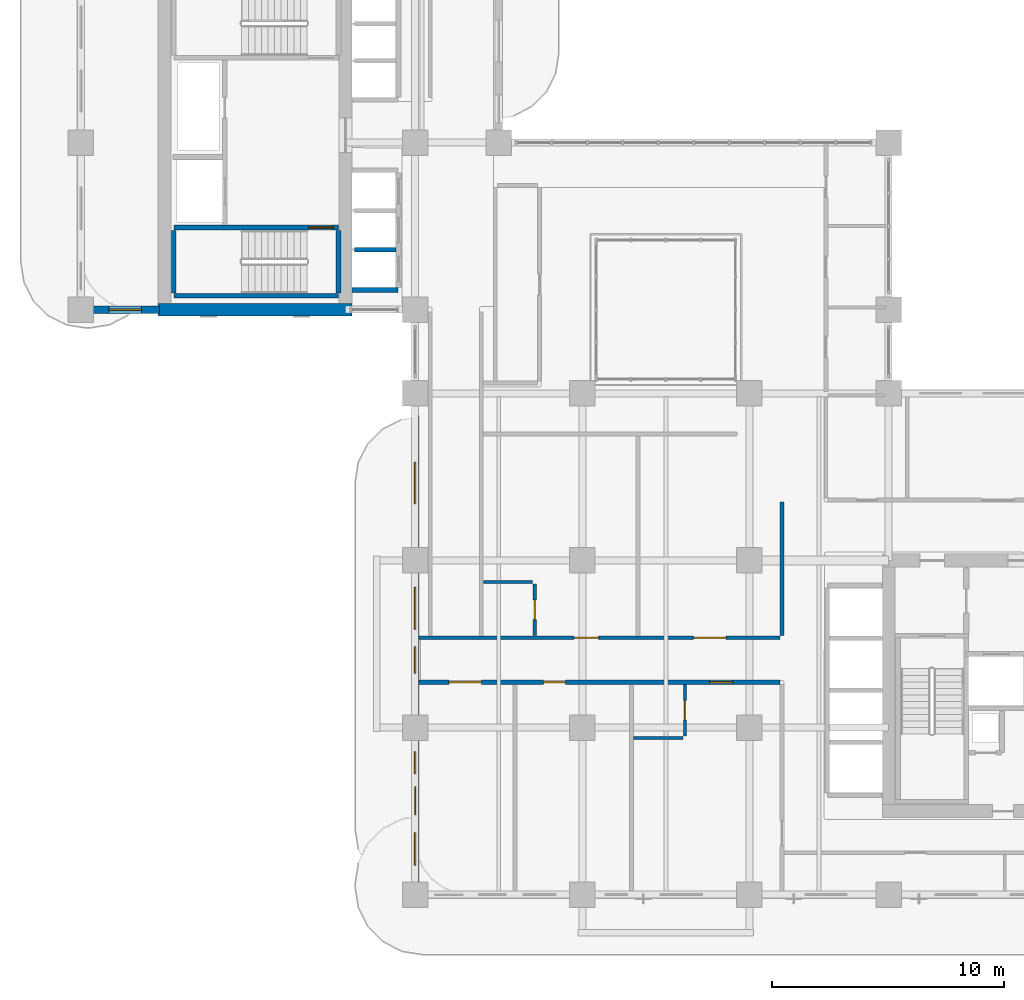
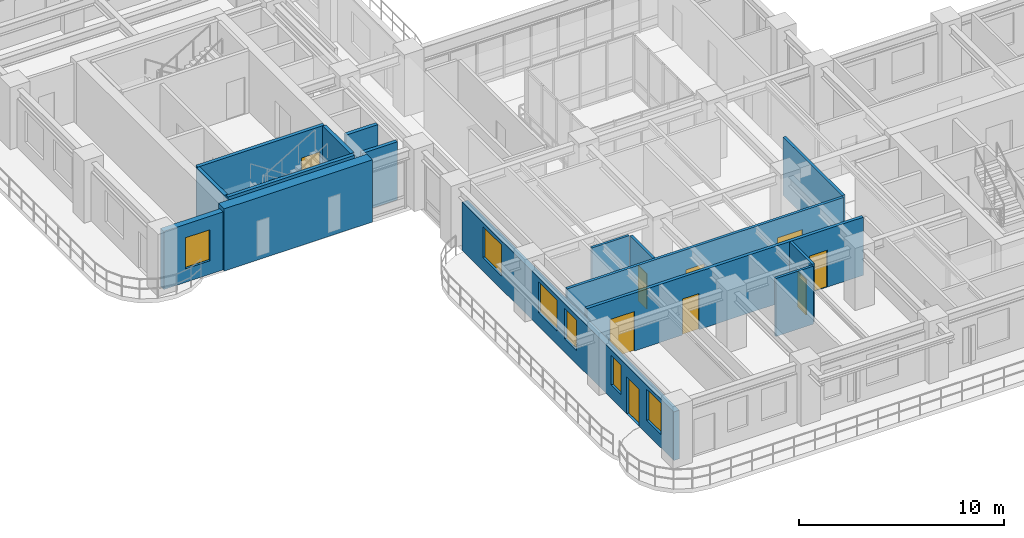
# One storey, part 12 of 22: 16 walls, 9 doors, 6 windows, 15 openings.
"""IFC4 building model written with IfcOpenShell, lengths in metres."""

from ifc_helpers import new_model, si_unit, derived_unit, direction, frame, frame_2d, origin, place, context, subcontext, project, spatial, rectangle, extrude, source, transform, mapped, material, layer, layer_set, type_object, type_shapes, element, fill, save


model = new_model("IFC4")

# Units and contexts
model_context = context("Model", 3, precision=1e-05, world=origin(), true_north=direction((0.0, 1.0)))
body_context = subcontext(model_context, "Body", "Model", "MODEL_VIEW")
ifc_project = project(units=[si_unit("LENGTHUNIT", "METRE"), si_unit("AREAUNIT", "SQUARE_METRE"), si_unit("VOLUMEUNIT", "CUBIC_METRE"), si_unit("PLANEANGLEUNIT", "RADIAN"), si_unit("MASSUNIT", "GRAM", prefix="KILO"), si_unit("THERMODYNAMICTEMPERATUREUNIT", "KELVIN"), si_unit("POWERUNIT", "WATT"), derived_unit("THERMALTRANSMITTANCEUNIT", [(si_unit("POWERUNIT", "WATT"), 1), (si_unit("AREAUNIT", "SQUARE_METRE"), -1), (si_unit("THERMODYNAMICTEMPERATUREUNIT", "KELVIN"), -1)])], contexts=[model_context])

# Site, building, storey
site_placement = place(None, origin())
site = spatial("IfcSite", under=ifc_project, at=site_placement, CompositionType="ELEMENT")
building_placement = place(site_placement, origin())
building = spatial("IfcBuilding", under=site, at=building_placement, Name="Zahravan Archway Hotel and Residences", CompositionType="ELEMENT")
storey_placement = place(building_placement, frame((0.0, 0.0, 99.0)))
storey = spatial("IfcBuildingStorey", under=building, at=storey_placement, Name="L24", CompositionType="ELEMENT", Elevation=99.0)

# Wall
ifc_material_1 = material(Name="Concrete C70/85", Category="concrete")
ifc_layer_1 = layer(ifc_material_1, 0.550048828125, Name="Concrete C70/85", Category="concrete")
ifc_layer_set_1 = layer_set([ifc_layer_1], Name="Concrete C70/85")
wall_type_1 = type_object("IfcWallType", Name="CW-CORE-550", PredefinedType="SHEAR", material=ifc_layer_set_1)
wall_1_placement = place(storey_placement, frame((3.324951171875, 25.199951171875, 0.0), z_axis=(0.0, 0.0, 1.0), x_axis=(1.0, 0.0, 0.0)))
element("IfcWall", 1, at=wall_1_placement, inside=storey, type_object=wall_type_1, Name="L24 Core B Shear S Wall 550 mm", PredefinedType="SHEAR", context=body_context, shape_type="SweptSolid", body=[
    extrude(rectangle(XDim=8.35009765625, YDim=0.550048828125, at=frame_2d((4.175048828125, 0.0))), origin(), (0.0, 0.0, 1.0), 3.699951171875),
])

# Wall, openings, door, windows
ifc_material_2 = material(Name="Agra Buff Sandstone & Insulated Backup", Category="masonry")
ifc_layer_2 = layer(ifc_material_2, 0.320068359375, Name="Agra Buff Sandstone & Insulated Backup", Category="masonry")
ifc_layer_set_2 = layer_set([ifc_layer_2], Name="Agra Buff Sandstone & Insulated Backup")
wall_type_2 = type_object("IfcWallType", Name="EW-SAND-320", PredefinedType="SOLIDWALL", material=ifc_layer_set_2)
wall_2_placement = place(storey_placement, frame((14.39990234375, 0.050048828125, 0.0), z_axis=(0.0, 0.0, 1.0), x_axis=(0.0, 1.0, 0.0)))
wall_2 = element("IfcWall", 2, at=wall_2_placement, inside=storey, type_object=wall_type_2, Name="L24 Exterior Sandstone Wall WA-WL", PredefinedType="SOLIDWALL", context=body_context, shape_type="SweptSolid", body=[
    extrude(rectangle(XDim=20.599853515625, YDim=0.320068359375, at=frame_2d((10.2998046875, 0.0))), origin(), (0.0, 0.0, 1.0), 2.885009765625),
])
opening_1_placement = place(wall_2_placement, frame((3.39990234375, 0.0, 0.0)))
opening_1 = element("IfcOpeningElement", 3, at=opening_1_placement, cuts=wall_2, Name="Opening ED-BL1", PredefinedType="OPENING", context=body_context, shape_type="SweptSolid", body=[
    extrude(rectangle(XDim=1.199951171875, YDim=2.199951171875, at=frame_2d((0.60009765625, 1.10009765625))), frame((0.0, 0.169921875, 0.0), z_axis=(0.0, -1.0, 0.0), x_axis=(1.0, 0.0, 0.0)), (0.0, 0.0, 1.0), 0.340087890625),
])
opening_2_placement = place(wall_2_placement, frame((1.22509765625, 0.0, 0.800048828125)))
opening_2 = element("IfcOpeningElement", 4, at=opening_2_placement, cuts=wall_2, Name="Opening W-03", PredefinedType="OPENING", context=body_context, shape_type="SweptSolid", body=[
    extrude(rectangle(XDim=1.39990234375, YDim=1.85009765625, at=frame_2d((0.699951171875, 0.925048828125))), frame((0.0, 0.169921875, 0.0), z_axis=(0.0, -1.0, 0.0), x_axis=(1.0, 0.0, 0.0)), (0.0, 0.0, 1.0), 0.340087890625),
])
opening_3_placement = place(wall_2_placement, frame((5.14990234375, 0.0, 0.800048828125)))
opening_3 = element("IfcOpeningElement", 5, at=opening_3_placement, cuts=wall_2, Name="Opening W-04", PredefinedType="OPENING", context=body_context, shape_type="SweptSolid", body=[
    extrude(rectangle(XDim=0.949951171875, YDim=1.75, at=frame_2d((0.47509765625, 0.875))), frame((0.0, 0.169921875, 0.0), z_axis=(0.0, -1.0, 0.0), x_axis=(1.0, 0.0, 0.0)), (0.0, 0.0, 1.0), 0.340087890625),
])
opening_4_placement = place(wall_2_placement, frame((9.485107421875, 0.0, 0.800048828125)))
opening_4 = element("IfcOpeningElement", 6, at=opening_4_placement, cuts=wall_2, Name="Opening W-05", PredefinedType="OPENING", context=body_context, shape_type="SweptSolid", body=[
    extrude(rectangle(XDim=1.14990234375, YDim=1.800048828125, at=frame_2d((0.574951171875, 0.89990234375))), frame((0.0, 0.169921875, 0.0), z_axis=(0.0, -1.0, 0.0), x_axis=(1.0, 0.0, 0.0)), (0.0, 0.0, 1.0), 0.340087890625),
])
opening_5_placement = place(wall_2_placement, frame((11.388916015625, 0.0, 0.800048828125)))
opening_5 = element("IfcOpeningElement", 7, at=opening_5_placement, cuts=wall_2, Name="Opening W-02", PredefinedType="OPENING", context=body_context, shape_type="SweptSolid", body=[
    extrude(rectangle(XDim=1.800048828125, YDim=1.85009765625, at=frame_2d((0.89990234375, 0.925048828125))), frame((0.0, 0.169921875, 0.0), z_axis=(0.0, -1.0, 0.0), x_axis=(1.0, 0.0, 0.0)), (0.0, 0.0, 1.0), 0.340087890625),
])
opening_6_placement = place(wall_2_placement, frame((16.7900390625, 0.0, 0.800048828125)))
opening_6 = element("IfcOpeningElement", 8, at=opening_6_placement, cuts=wall_2, Name="Opening W-02", PredefinedType="OPENING", context=body_context, shape_type="SweptSolid", body=[
    extrude(rectangle(XDim=1.800048828125, YDim=1.85009765625, at=frame_2d((0.89990234375, 0.925048828125))), frame((0.0, 0.169921875, 0.0), z_axis=(0.0, -1.0, 0.0), x_axis=(1.0, 0.0, 0.0)), (0.0, 0.0, 1.0), 0.340087890625),
])
ifc_material_3 = material(Name="Bronze-Anodized Glazed Aluminium", Category="aluminium")
door_type_1 = type_object("IfcDoorType", Name="ED-BALC-1200", OperationType="SLIDING_TO_LEFT", PredefinedType="DOOR", material=ifc_material_3)
shared_shape_1 = source(origin(), body_context, "Body", "SweptSolid", [
    extrude(rectangle(XDim=1.199951171875, YDim=2.199951171875, at=frame_2d((0.60009765625, 1.10009765625))), frame((0.0, 0.02490234375, 0.0), z_axis=(0.0, -1.0, 0.0), x_axis=(1.0, 0.0, 0.0)), (0.0, 0.0, 1.0), 0.050048828125),
])
type_shapes(door_type_1, [shared_shape_1])
door_1_placement = place(opening_1_placement, origin())
door_1 = element("IfcDoor", 9, at=door_1_placement, inside=storey, type_object=door_type_1, Name="L24 Outdoor Access Sliding Door (SLB-BAL-L24-WA)", OperationType="SLIDING_TO_LEFT", OverallHeight=2.199951171875, OverallWidth=1.199951171875, PredefinedType="DOOR", context=body_context, shape_type="MappedRepresentation", body=[
    mapped(shared_shape_1, transform((0.0, 0.0, 0.0), scale=1.0)),
])
fill(opening_1, door_1)
ifc_material_4 = material(Name="Bronze-Anodized Thermal-Break Aluminium & Low-E Glass", Category="aluminium")
window_type_1 = type_object("IfcWindowType", Name="WIN-TWR-1400", PartitioningType="SINGLE_PANEL", PredefinedType="WINDOW", material=ifc_material_4)
shared_shape_2 = source(origin(), body_context, "Body", "SweptSolid", [
    extrude(rectangle(XDim=1.39990234375, YDim=1.85009765625, at=frame_2d((0.699951171875, 0.925048828125))), frame((0.0, 0.030029296875, 0.0), z_axis=(0.0, -1.0, 0.0), x_axis=(1.0, 0.0, 0.0)), (0.0, 0.0, 1.0), 0.06005859375),
])
type_shapes(window_type_1, [shared_shape_2])
window_1_placement = place(opening_2_placement, origin())
window_1 = element("IfcWindow", 10, at=window_1_placement, inside=storey, type_object=window_type_1, Name="L24 Loggia Window 24", OverallHeight=1.85009765625, OverallWidth=1.39990234375, PartitioningType="SINGLE_PANEL", PredefinedType="WINDOW", context=body_context, shape_type="MappedRepresentation", body=[
    mapped(shared_shape_2, transform((0.0, 0.0, 0.0), scale=1.0)),
])
fill(opening_2, window_1)
window_type_2 = type_object("IfcWindowType", Name="WIN-NAR-950", PartitioningType="SINGLE_PANEL", PredefinedType="WINDOW", material=ifc_material_4)
shared_shape_3 = source(origin(), body_context, "Body", "SweptSolid", [
    extrude(rectangle(XDim=0.949951171875, YDim=1.75, at=frame_2d((0.47509765625, 0.875))), frame((0.0, 0.030029296875, 0.0), z_axis=(0.0, -1.0, 0.0), x_axis=(1.0, 0.0, 0.0)), (0.0, 0.0, 1.0), 0.06005859375),
])
type_shapes(window_type_2, [shared_shape_3])
window_2_placement = place(opening_3_placement, origin())
window_2 = element("IfcWindow", 11, at=window_2_placement, inside=storey, type_object=window_type_2, Name="L24 Loggia Window 25", OverallHeight=1.75, OverallWidth=0.949951171875, PartitioningType="SINGLE_PANEL", PredefinedType="WINDOW", context=body_context, shape_type="MappedRepresentation", body=[
    mapped(shared_shape_3, transform((0.0, 0.0, 0.0), scale=1.0)),
])
fill(opening_3, window_2)
window_type_3 = type_object("IfcWindowType", Name="WIN-TWR-1800", PartitioningType="DOUBLE_PANEL_VERTICAL", PredefinedType="WINDOW", material=ifc_material_4)
shared_shape_4 = source(origin(), body_context, "Body", "SweptSolid", [
    extrude(rectangle(XDim=1.800048828125, YDim=1.85009765625, at=frame_2d((0.89990234375, 0.925048828125))), frame((0.0, 0.030029296875, 0.0), z_axis=(0.0, -1.0, 0.0), x_axis=(1.0, 0.0, 0.0)), (0.0, 0.0, 1.0), 0.06005859375),
])
type_shapes(window_type_3, [shared_shape_4])
window_3_placement = place(opening_5_placement, origin())
window_3 = element("IfcWindow", 12, at=window_3_placement, inside=storey, type_object=window_type_3, Name="L24 Loggia Window 27", OverallHeight=1.85009765625, OverallWidth=1.800048828125, PartitioningType="DOUBLE_PANEL_VERTICAL", PredefinedType="WINDOW", context=body_context, shape_type="MappedRepresentation", body=[
    mapped(shared_shape_4, transform((0.0, 0.0, 0.0), scale=1.0)),
])
fill(opening_5, window_3)
window_4_placement = place(opening_6_placement, origin())
window_4 = element("IfcWindow", 13, at=window_4_placement, inside=storey, type_object=window_type_3, Name="L24 Loggia Window 28", OverallHeight=1.85009765625, OverallWidth=1.800048828125, PartitioningType="DOUBLE_PANEL_VERTICAL", PredefinedType="WINDOW", context=body_context, shape_type="MappedRepresentation", body=[
    mapped(shared_shape_4, transform((0.0, 0.0, 0.0), scale=1.0)),
])
fill(opening_6, window_4)
window_type_4 = type_object("IfcWindowType", Name="WIN-TWR-1150", PartitioningType="SINGLE_PANEL", PredefinedType="WINDOW", material=ifc_material_4)
shared_shape_5 = source(origin(), body_context, "Body", "SweptSolid", [
    extrude(rectangle(XDim=1.14990234375, YDim=1.800048828125, at=frame_2d((0.574951171875, 0.89990234375))), frame((0.0, 0.030029296875, 0.0), z_axis=(0.0, -1.0, 0.0), x_axis=(1.0, 0.0, 0.0)), (0.0, 0.0, 1.0), 0.06005859375),
])
type_shapes(window_type_4, [shared_shape_5])
window_5_placement = place(opening_4_placement, origin())
window_5 = element("IfcWindow", 14, at=window_5_placement, inside=storey, type_object=window_type_4, Name="L24 Loggia Window 26", OverallHeight=1.800048828125, OverallWidth=1.14990234375, PartitioningType="SINGLE_PANEL", PredefinedType="WINDOW", context=body_context, shape_type="MappedRepresentation", body=[
    mapped(shared_shape_5, transform((0.0, 0.0, 0.0), scale=1.0)),
])
fill(opening_4, window_5)

# Wall, opening, window
wall_3_placement = place(storey_placement, frame((0.0, 25.199951171875, 0.0), z_axis=(0.0, 0.0, 1.0), x_axis=(1.0, 0.0, 0.0)))
wall_3 = element("IfcWall", 15, at=wall_3_placement, inside=storey, type_object=wall_type_2, Name="L24 Exterior Sandstone Wall WB-SW", PredefinedType="SOLIDWALL", context=body_context, shape_type="SweptSolid", body=[
    extrude(rectangle(XDim=3.3798828125, YDim=0.320068359375, at=frame_2d((1.68994140625, 0.0))), origin(), (0.0, 0.0, 1.0), 3.449951171875),
])
opening_7_placement = place(wall_3_placement, frame((1.205078125, 0.0, 0.800048828125)))
opening_7 = element("IfcOpeningElement", 16, at=opening_7_placement, cuts=wall_3, Name="Opening W-03", PredefinedType="OPENING", context=body_context, shape_type="SweptSolid", body=[
    extrude(rectangle(XDim=1.39990234375, YDim=1.85009765625, at=frame_2d((0.699951171875, 0.925048828125))), frame((0.0, 0.169921875, 0.0), z_axis=(0.0, -1.0, 0.0), x_axis=(1.0, 0.0, 0.0)), (0.0, 0.0, 1.0), 0.340087890625),
])
window_6_placement = place(opening_7_placement, origin())
window_6 = element("IfcWindow", 17, at=window_6_placement, inside=storey, type_object=window_type_1, Name="L24 Loggia Window 29", OverallHeight=1.85009765625, OverallWidth=1.39990234375, PartitioningType="SINGLE_PANEL", PredefinedType="WINDOW", context=body_context, shape_type="MappedRepresentation", body=[
    mapped(shared_shape_2, transform((0.0, 0.0, 0.0), scale=1.0)),
])
fill(opening_7, window_6)

# Wall, openings, doors
ifc_material_5 = material(Name="Fire-Rated Gypsum & Concrete Block", Category="concrete")
ifc_layer_3 = layer(ifc_material_5, 0.159912109375, Name="Fire-Rated Gypsum & Concrete Block", Category="concrete")
ifc_layer_set_3 = layer_set([ifc_layer_3], Name="Fire-Rated Gypsum & Concrete Block")
wall_type_3 = type_object("IfcWallType", Name="PW-CORR-160", PredefinedType="PARTITIONING", material=ifc_layer_set_3)
wall_4_placement = place(storey_placement, frame((14.568115234375, 11.070068359375, 0.0), z_axis=(0.0, 0.0, 1.0), x_axis=(1.0, 0.0, 0.0)))
wall_4 = element("IfcWall", 18, at=wall_4_placement, inside=storey, type_object=wall_type_3, Name="L24 Partition WA-CN", PredefinedType="PARTITIONING", context=body_context, shape_type="SweptSolid", body=[
    extrude(rectangle(XDim=15.5419921875, YDim=0.159912109375, at=frame_2d((7.77099609375, 0.0))), origin(), (0.0, 0.0, 1.0), 3.449951171875),
])
opening_8_placement = place(wall_4_placement, frame((6.681884765625, 0.0, 0.0)))
opening_8 = element("IfcOpeningElement", 19, at=opening_8_placement, cuts=wall_4, Name="Opening D-U1", PredefinedType="OPENING", context=body_context, shape_type="SweptSolid", body=[
    extrude(rectangle(XDim=1.050048828125, YDim=2.25, at=frame_2d((0.52490234375, 1.125))), frame((0.0, 0.08984375, 0.0), z_axis=(0.0, -1.0, 0.0), x_axis=(1.0, 0.0, 0.0)), (0.0, 0.0, 1.0), 0.179931640625),
])
opening_9_placement = place(wall_4_placement, frame((11.83203125, 0.0, 0.0)))
opening_9 = element("IfcOpeningElement", 20, at=opening_9_placement, cuts=wall_4, Name="Opening D-P1", PredefinedType="OPENING", context=body_context, shape_type="SweptSolid", body=[
    extrude(rectangle(XDim=1.39990234375, YDim=2.35009765625, at=frame_2d((0.699951171875, 1.175048828125))), frame((0.0, 0.08984375, 0.0), z_axis=(0.0, -1.0, 0.0), x_axis=(1.0, 0.0, 0.0)), (0.0, 0.0, 1.0), 0.179931640625),
])
door_type_2 = type_object("IfcDoorType", Name="ID-PUBLIC-1400", OperationType="DOUBLE_DOOR_SINGLE_SWING", PredefinedType="DOOR", material=ifc_material_3)
shared_shape_6 = source(origin(), body_context, "Body", "SweptSolid", [
    extrude(rectangle(XDim=1.39990234375, YDim=2.35009765625, at=frame_2d((0.699951171875, 1.175048828125))), frame((0.0, 0.02490234375, 0.0), z_axis=(0.0, -1.0, 0.0), x_axis=(1.0, 0.0, 0.0)), (0.0, 0.0, 1.0), 0.050048828125),
])
type_shapes(door_type_2, [shared_shape_6])
door_2_placement = place(opening_9_placement, origin())
door_2 = element("IfcDoor", 21, at=door_2_placement, inside=storey, type_object=door_type_2, Name="L24 Atrium Dining Door", OperationType="DOUBLE_DOOR_SINGLE_SWING", OverallHeight=2.35009765625, OverallWidth=1.39990234375, PredefinedType="DOOR", context=body_context, shape_type="MappedRepresentation", body=[
    mapped(shared_shape_6, transform((0.0, 0.0, 0.0), scale=1.0)),
])
fill(opening_9, door_2)
ifc_material_6 = material(Name="Hardwood Veneer Timber", Category="wood")
door_type_3 = type_object("IfcDoorType", Name="ID-UNIT-1050", OperationType="NOTDEFINED", PredefinedType="DOOR", material=ifc_material_6)
shared_shape_7 = source(origin(), body_context, "Body", "SweptSolid", [
    extrude(rectangle(XDim=1.050048828125, YDim=2.25, at=frame_2d((0.52490234375, 1.125))), frame((0.0, 0.02490234375, 0.0), z_axis=(0.0, -1.0, 0.0), x_axis=(1.0, 0.0, 0.0)), (0.0, 0.0, 1.0), 0.050048828125),
])
type_shapes(door_type_3, [shared_shape_7])
door_3_placement = place(opening_8_placement, origin())
door_3 = element("IfcDoor", 22, at=door_3_placement, inside=storey, type_object=door_type_3, Name="L24 Hotel Guestroom 52 Entrance Door", OperationType="SINGLE_SWING_LEFT", OverallHeight=2.25, OverallWidth=1.050048828125, PredefinedType="DOOR", context=body_context, shape_type="MappedRepresentation", body=[
    mapped(shared_shape_7, transform((0.0, 0.0, 0.0), scale=1.0)),
])
fill(opening_8, door_3)

# Wall
wall_5_placement = place(storey_placement, frame((30.199951171875, 11.159912109375, 0.0), z_axis=(0.0, 0.0, 1.0), x_axis=(0.0, 1.0, 0.0)))
element("IfcWall", 23, at=wall_5_placement, inside=storey, type_object=wall_type_3, Name="L24 Partition WA-FW", PredefinedType="PARTITIONING", context=body_context, shape_type="SweptSolid", body=[
    extrude(rectangle(XDim=5.75, YDim=0.159912109375, at=frame_2d((2.875, 0.0))), origin(), (0.0, 0.0, 1.0), 3.449951171875),
])

# Wall, openings, doors
ifc_layer_4 = layer(ifc_material_5, 0.179931640625, Name="Fire-Rated Gypsum & Concrete Block", Category="concrete")
ifc_layer_set_4 = layer_set([ifc_layer_4], Name="Fire-Rated Gypsum & Concrete Block")
wall_type_4 = type_object("IfcWallType", Name="PW-CORR-180", PredefinedType="PARTITIONING", material=ifc_layer_set_4)
wall_6_placement = place(storey_placement, frame((14.568115234375, 9.14990234375, 0.0), z_axis=(0.0, 0.0, 1.0), x_axis=(1.0, 0.0, 0.0)))
wall_6 = element("IfcWall", 24, at=wall_6_placement, inside=storey, type_object=wall_type_4, Name="L24 Partition WA-CS", PredefinedType="PARTITIONING", context=body_context, shape_type="SweptSolid", body=[
    extrude(rectangle(XDim=15.5419921875, YDim=0.179931640625, at=frame_2d((7.77099609375, 0.0))), origin(), (0.0, 0.0, 1.0), 3.449951171875),
])
opening_10_placement = place(wall_6_placement, frame((1.281982421875, 0.0, 0.0)))
opening_10 = element("IfcOpeningElement", 25, at=opening_10_placement, cuts=wall_6, Name="Opening D-P1", PredefinedType="OPENING", context=body_context, shape_type="SweptSolid", body=[
    extrude(rectangle(XDim=1.39990234375, YDim=2.35009765625, at=frame_2d((0.699951171875, 1.175048828125))), frame((0.0, 0.10009765625, 0.0), z_axis=(0.0, -1.0, 0.0), x_axis=(1.0, 0.0, 0.0)), (0.0, 0.0, 1.0), 0.199951171875),
])
opening_11_placement = place(wall_6_placement, frame((5.35498046875, 0.0, 0.0)))
opening_11 = element("IfcOpeningElement", 26, at=opening_11_placement, cuts=wall_6, Name="Opening D-I1", PredefinedType="OPENING", context=body_context, shape_type="SweptSolid", body=[
    extrude(rectangle(XDim=0.949951171875, YDim=2.14990234375, at=frame_2d((0.47509765625, 1.074951171875))), frame((0.0, 0.10009765625, 0.0), z_axis=(0.0, -1.0, 0.0), x_axis=(1.0, 0.0, 0.0)), (0.0, 0.0, 1.0), 0.199951171875),
])
opening_12_placement = place(wall_6_placement, frame((12.512939453125, 0.0, 0.0)))
opening_12 = element("IfcOpeningElement", 27, at=opening_12_placement, cuts=wall_6, Name="Opening D-U2", PredefinedType="OPENING", context=body_context, shape_type="SweptSolid", body=[
    extrude(rectangle(XDim=1.0, YDim=2.199951171875, at=frame_2d((0.5, 1.10009765625))), frame((0.0, 0.10009765625, 0.0), z_axis=(0.0, -1.0, 0.0), x_axis=(1.0, 0.0, 0.0)), (0.0, 0.0, 1.0), 0.199951171875),
])
door_4_placement = place(opening_10_placement, origin())
door_4 = element("IfcDoor", 28, at=door_4_placement, inside=storey, type_object=door_type_2, Name="L24 West Majlis Door", OperationType="DOUBLE_DOOR_SINGLE_SWING", OverallHeight=2.35009765625, OverallWidth=1.39990234375, PredefinedType="DOOR", context=body_context, shape_type="MappedRepresentation", body=[
    mapped(shared_shape_6, transform((0.0, 0.0, 0.0), scale=1.0)),
])
fill(opening_10, door_4)
door_type_4 = type_object("IfcDoorType", Name="ID-INT-950", OperationType="NOTDEFINED", PredefinedType="DOOR", material=ifc_material_6)
shared_shape_8 = source(origin(), body_context, "Body", "SweptSolid", [
    extrude(rectangle(XDim=0.949951171875, YDim=2.14990234375, at=frame_2d((0.47509765625, 1.074951171875))), frame((0.0, 0.02490234375, 0.0), z_axis=(0.0, -1.0, 0.0), x_axis=(1.0, 0.0, 0.0)), (0.0, 0.0, 1.0), 0.050048828125),
])
type_shapes(door_type_4, [shared_shape_8])
door_5_placement = place(opening_11_placement, origin())
door_5 = element("IfcDoor", 29, at=door_5_placement, inside=storey, type_object=door_type_4, Name="L24 Boardroom Door", OperationType="SINGLE_SWING_RIGHT", OverallHeight=2.14990234375, OverallWidth=0.949951171875, PredefinedType="DOOR", context=body_context, shape_type="MappedRepresentation", body=[
    mapped(shared_shape_8, transform((0.0, 0.0, 0.0), scale=1.0)),
])
fill(opening_11, door_5)
door_type_5 = type_object("IfcDoorType", Name="ID-UNIT-1000", OperationType="NOTDEFINED", PredefinedType="DOOR", material=ifc_material_6)
shared_shape_9 = source(origin(), body_context, "Body", "SweptSolid", [
    extrude(rectangle(XDim=1.0, YDim=2.199951171875, at=frame_2d((0.5, 1.10009765625))), frame((0.0, 0.02490234375, 0.0), z_axis=(0.0, -1.0, 0.0), x_axis=(1.0, 0.0, 0.0)), (0.0, 0.0, 1.0), 0.050048828125),
])
type_shapes(door_type_5, [shared_shape_9])
door_6_placement = place(opening_12_placement, origin())
door_6 = element("IfcDoor", 30, at=door_6_placement, inside=storey, type_object=door_type_5, Name="L24 Hotel Guestroom 21 Entrance Door", OperationType="SINGLE_SWING_RIGHT", OverallHeight=2.199951171875, OverallWidth=1.0, PredefinedType="DOOR", context=body_context, shape_type="MappedRepresentation", body=[
    mapped(shared_shape_9, transform((0.0, 0.0, 0.0), scale=1.0)),
])
fill(opening_12, door_6)

# Walls
ifc_layer_5 = layer(ifc_material_5, 0.199951171875, Name="Fire-Rated Gypsum & Concrete Block", Category="concrete")
ifc_layer_set_5 = layer_set([ifc_layer_5], Name="Fire-Rated Gypsum & Concrete Block")
wall_type_5 = type_object("IfcWallType", Name="PW-SHAFT-200", PredefinedType="PARTITIONING", material=ifc_layer_set_5)
wall_7_placement = place(storey_placement, frame((11.68505859375, 26.050048828125, 0.0), z_axis=(0.0, 0.0, 1.0), x_axis=(1.0, 0.0, 0.0)))
element("IfcWall", 31, at=wall_7_placement, inside=storey, type_object=wall_type_5, Name="L24 Partition B1-S", PredefinedType="PARTITIONING", context=body_context, shape_type="SweptSolid", body=[
    extrude(rectangle(XDim=1.98486328125, YDim=0.199951171875, at=frame_2d((0.992431640625, 0.0))), origin(), (0.0, 0.0, 1.0), 3.449951171875),
])
wall_8_placement = place(storey_placement, frame((11.784912109375, 27.7900390625, 0.0), z_axis=(0.0, 0.0, 1.0), x_axis=(1.0, 0.0, 0.0)))
element("IfcWall", 32, at=wall_8_placement, inside=storey, type_object=wall_type_5, Name="L24 Partition B1-D", PredefinedType="PARTITIONING", context=body_context, shape_type="SweptSolid", body=[
    extrude(rectangle(XDim=1.78515625, YDim=0.199951171875, at=frame_2d((0.892578125, 0.0))), origin(), (0.0, 0.0, 1.0), 3.449951171875),
])

# Wall, opening, door
ifc_material_7 = material(Name="Moisture-Resistant Blockwork", Category="masonry")
ifc_layer_6 = layer(ifc_material_7, 0.139892578125, Name="Moisture-Resistant Blockwork", Category="masonry")
ifc_layer_set_6 = layer_set([ifc_layer_6], Name="Moisture-Resistant Blockwork")
wall_type_6 = type_object("IfcWallType", Name="PW-WET-140", PredefinedType="PARTITIONING", material=ifc_layer_set_6)
wall_9_placement = place(storey_placement, frame((26.02001953125, 6.840087890625, 0.0), z_axis=(0.0, 0.0, 1.0), x_axis=(0.0, 1.0, 0.0)))
wall_9 = element("IfcWall", 33, at=wall_9_placement, inside=storey, type_object=wall_type_6, Name="L24 Partition HKB-V21", PredefinedType="PARTITIONING", context=body_context, shape_type="SweptSolid", body=[
    extrude(rectangle(XDim=2.219970703125, YDim=0.139892578125, at=frame_2d((1.10986328125, 0.0))), origin(), (0.0, 0.0, 1.0), 3.449951171875),
])
opening_13_placement = place(wall_9_placement, frame((0.68505859375, 0.0, 0.0)))
opening_13 = element("IfcOpeningElement", 34, at=opening_13_placement, cuts=wall_9, Name="Opening D-B1", PredefinedType="OPENING", context=body_context, shape_type="SweptSolid", body=[
    extrude(rectangle(XDim=0.85009765625, YDim=2.10009765625, at=frame_2d((0.425048828125, 1.050048828125))), frame((0.0, 0.080078125, 0.0), z_axis=(0.0, -1.0, 0.0), x_axis=(1.0, 0.0, 0.0)), (0.0, 0.0, 1.0), 0.159912109375),
])
door_type_6 = type_object("IfcDoorType", Name="ID-BATH-850", OperationType="NOTDEFINED", PredefinedType="DOOR", material=ifc_material_6)
shared_shape_10 = source(origin(), body_context, "Body", "SweptSolid", [
    extrude(rectangle(XDim=0.85009765625, YDim=2.10009765625, at=frame_2d((0.425048828125, 1.050048828125))), frame((0.0, 0.02490234375, 0.0), z_axis=(0.0, -1.0, 0.0), x_axis=(1.0, 0.0, 0.0)), (0.0, 0.0, 1.0), 0.050048828125),
])
type_shapes(door_type_6, [shared_shape_10])
door_7_placement = place(opening_13_placement, origin())
door_7 = element("IfcDoor", 35, at=door_7_placement, inside=storey, type_object=door_type_6, Name="L24 Guestroom 21 En-Suite Door", OperationType="SINGLE_SWING_LEFT", OverallHeight=2.10009765625, OverallWidth=0.85009765625, PredefinedType="DOOR", context=body_context, shape_type="MappedRepresentation", body=[
    mapped(shared_shape_10, transform((0.0, 0.0, 0.0), scale=1.0)),
])
fill(opening_13, door_7)

# Wall
wall_10_placement = place(storey_placement, frame((23.81005859375, 6.75, 0.0), z_axis=(0.0, 0.0, 1.0), x_axis=(1.0, 0.0, 0.0)))
element("IfcWall", 36, at=wall_10_placement, inside=storey, type_object=wall_type_6, Name="L24 Partition HKB-H21", PredefinedType="PARTITIONING", context=body_context, shape_type="SweptSolid", body=[
    extrude(rectangle(XDim=2.119873046875, YDim=0.139892578125, at=frame_2d((1.06005859375, 0.0))), origin(), (0.0, 0.0, 1.0), 3.449951171875),
])

# Wall, opening, door
wall_11_placement = place(storey_placement, frame((19.550048828125, 11.159912109375, 0.0), z_axis=(0.0, 0.0, 1.0), x_axis=(0.0, 1.0, 0.0)))
wall_11 = element("IfcWall", 37, at=wall_11_placement, inside=storey, type_object=wall_type_6, Name="L24 Partition HKB-V52", PredefinedType="PARTITIONING", context=body_context, shape_type="SweptSolid", body=[
    extrude(rectangle(XDim=2.219970703125, YDim=0.139892578125, at=frame_2d((1.10986328125, 0.0))), origin(), (0.0, 0.0, 1.0), 3.449951171875),
])
opening_14_placement = place(wall_11_placement, frame((0.68505859375, 0.0, 0.0)))
opening_14 = element("IfcOpeningElement", 38, at=opening_14_placement, cuts=wall_11, Name="Opening D-B1", PredefinedType="OPENING", context=body_context, shape_type="SweptSolid", body=[
    extrude(rectangle(XDim=0.85009765625, YDim=2.10009765625, at=frame_2d((0.425048828125, 1.050048828125))), frame((0.0, 0.080078125, 0.0), z_axis=(0.0, -1.0, 0.0), x_axis=(1.0, 0.0, 0.0)), (0.0, 0.0, 1.0), 0.159912109375),
])
door_8_placement = place(opening_14_placement, origin())
door_8 = element("IfcDoor", 39, at=door_8_placement, inside=storey, type_object=door_type_6, Name="L24 Guestroom 52 En-Suite Door", OperationType="SINGLE_SWING_RIGHT", OverallHeight=2.10009765625, OverallWidth=0.85009765625, PredefinedType="DOOR", context=body_context, shape_type="MappedRepresentation", body=[
    mapped(shared_shape_10, transform((0.0, 0.0, 0.0), scale=1.0)),
])
fill(opening_14, door_8)

# Walls
wall_12_placement = place(storey_placement, frame((17.340087890625, 13.469970703125, 0.0), z_axis=(0.0, 0.0, 1.0), x_axis=(1.0, 0.0, 0.0)))
element("IfcWall", 40, at=wall_12_placement, inside=storey, type_object=wall_type_6, Name="L24 Partition HKB-H52", PredefinedType="PARTITIONING", context=body_context, shape_type="SweptSolid", body=[
    extrude(rectangle(XDim=2.119873046875, YDim=0.139892578125, at=frame_2d((1.06005859375, 0.0))), origin(), (0.0, 0.0, 1.0), 3.449951171875),
])
ifc_material_8 = material(Name="Concrete C50/60", Category="concrete")
ifc_layer_7 = layer(ifc_material_8, 0.199951171875, Name="Concrete C50/60", Category="concrete")
ifc_layer_set_7 = layer_set([ifc_layer_7], Name="Concrete C50/60")
wall_type_7 = type_object("IfcWallType", Name="SW-STAIR-200", PredefinedType="SHEAR", material=ifc_layer_set_7)
wall_13_placement = place(storey_placement, frame((4.0, 25.800048828125, 0.0), z_axis=(0.0, 0.0, 1.0), x_axis=(1.0, 0.0, 0.0)))
element("IfcWall", 41, at=wall_13_placement, inside=storey, type_object=wall_type_7, Name="L24 Stairwell RC Wall CB-SB1S", PredefinedType="SHEAR", context=body_context, shape_type="SweptSolid", body=[
    extrude(rectangle(XDim=7.10009765625, YDim=0.199951171875, at=frame_2d((3.550048828125, 0.0))), origin(), (0.0, 0.0, 1.0), 3.699951171875),
])
for number, where, z_axis, x_axis, name in (
    (42, (4.0, 25.919921875, 0.0), (0.0, 0.0, 1.0), (0.0, 1.0, 0.0), "L24 Stairwell RC Wall CB-SB1W"),
    (43, (11.10009765625, 25.919921875, 0.0), (0.0, 0.0, 1.0), (0.0, 1.0, 0.0), "L24 Stairwell RC Wall CB-SB1E"),
):
    element("IfcWall", number, at=place(storey_placement, frame(where, z_axis=z_axis, x_axis=x_axis)), inside=storey, type_object=wall_type_7, Name=name, PredefinedType="SHEAR", context=body_context, shape_type="SweptSolid", body=[
        extrude(rectangle(XDim=2.7001953125, YDim=0.199951171875, at=frame_2d((1.35009765625, 0.0))), origin(), (0.0, 0.0, 1.0), 3.699951171875),
    ])

# Wall, opening, door
wall_14_placement = place(storey_placement, frame((4.0, 28.739990234375, 0.0), z_axis=(0.0, 0.0, 1.0), x_axis=(1.0, 0.0, 0.0)))
wall_14 = element("IfcWall", 44, at=wall_14_placement, inside=storey, type_object=wall_type_7, Name="L24 Stairwell RC Wall CB-SB1N", PredefinedType="SHEAR", context=body_context, shape_type="SweptSolid", body=[
    extrude(rectangle(XDim=7.10009765625, YDim=0.199951171875, at=frame_2d((3.550048828125, 0.0))), origin(), (0.0, 0.0, 1.0), 3.699951171875),
])
opening_15_placement = place(wall_14_placement, frame((5.81494140625, 0.0, 0.0)))
opening_15 = element("IfcOpeningElement", 45, at=opening_15_placement, cuts=wall_14, Name="Opening FD-S1", PredefinedType="OPENING", context=body_context, shape_type="SweptSolid", body=[
    extrude(rectangle(XDim=1.050048828125, YDim=2.199951171875, at=frame_2d((0.52490234375, 1.10009765625))), frame((0.0, 0.10986328125, 0.0), z_axis=(0.0, -1.0, 0.0), x_axis=(1.0, 0.0, 0.0)), (0.0, 0.0, 1.0), 0.219970703125),
])
ifc_material_9 = material(Name="Fire-Rated Painted Steel", Category="steel")
door_type_7 = type_object("IfcDoorType", Name="FD-STAIR-1100", OperationType="NOTDEFINED", PredefinedType="DOOR", material=ifc_material_9)
shared_shape_11 = source(origin(), body_context, "Body", "SweptSolid", [
    extrude(rectangle(XDim=1.050048828125, YDim=2.199951171875, at=frame_2d((0.52490234375, 1.10009765625))), frame((0.0, 0.02490234375, 0.0), z_axis=(0.0, -1.0, 0.0), x_axis=(1.0, 0.0, 0.0)), (0.0, 0.0, 1.0), 0.050048828125),
])
type_shapes(door_type_7, [shared_shape_11])
door_9_placement = place(opening_15_placement, origin())
door_9 = element("IfcDoor", 46, at=door_9_placement, inside=storey, type_object=door_type_7, Name="L24 Stair ST-B1 Door", OperationType="SINGLE_SWING_RIGHT", OverallHeight=2.199951171875, OverallWidth=1.050048828125, PredefinedType="DOOR", context=body_context, shape_type="MappedRepresentation", body=[
    mapped(shared_shape_11, transform((0.0, 0.0, 0.0), scale=1.0)),
])
fill(opening_15, door_9)

save(model, "model.ifc")
